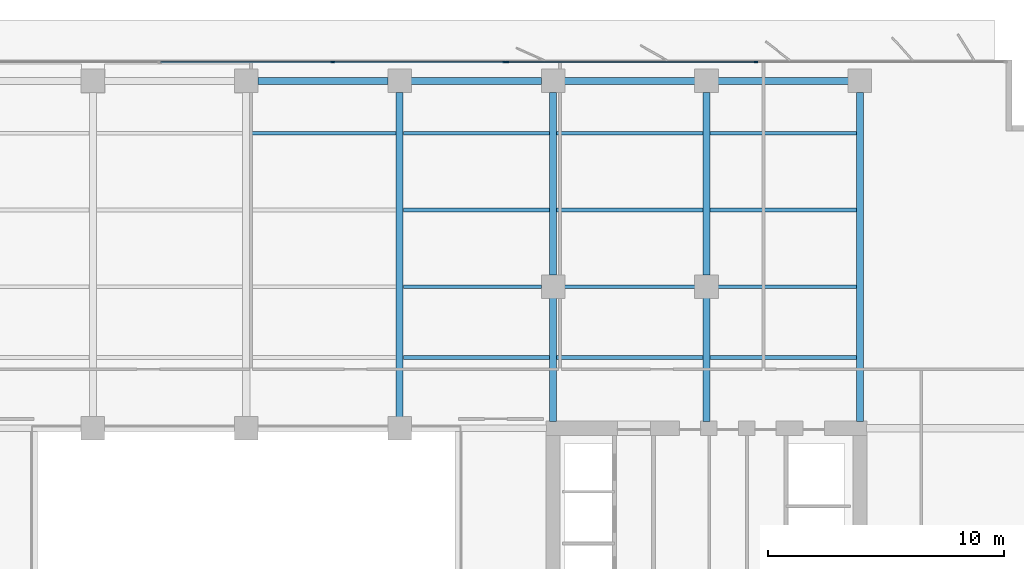
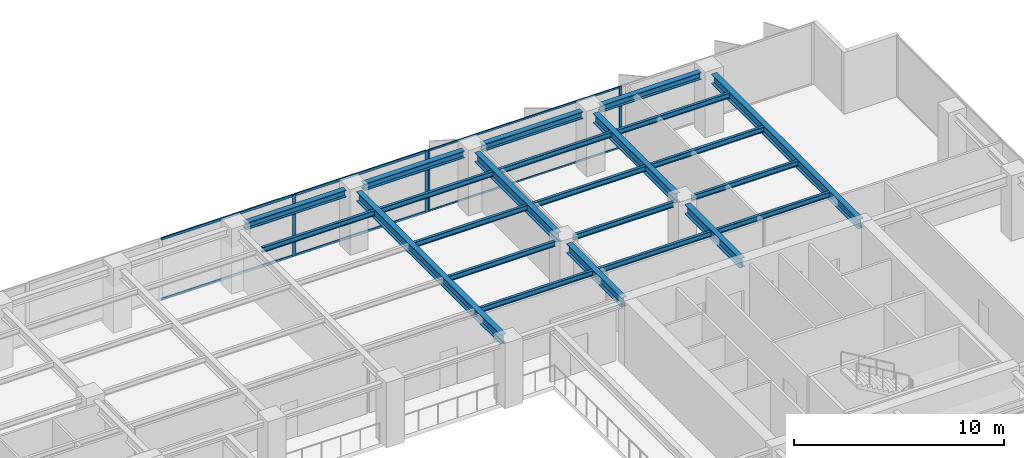
# One storey, part 10 of 22: 23 beams, 10 members, 2 elements without a shape of their own.
"""IFC4 building model written with IfcOpenShell, lengths in metres."""

from ifc_helpers import new_model, si_unit, direction, frame, origin, origin_2d, place, context, subcontext, project, spatial, rectangle, i_section, extrude, material, layer, layer_set, material_profile, profile_set, type_object, element, aggregate, save


model = new_model("IFC4")

# Units and contexts
model_context = context("Model", 3, precision=1e-05, world=origin(), true_north=direction((0.0, 1.0)))
body_context = subcontext(model_context, "Body", "Model", "MODEL_VIEW")
ifc_project = project(units=[si_unit("LENGTHUNIT", "METRE"), si_unit("AREAUNIT", "SQUARE_METRE"), si_unit("VOLUMEUNIT", "CUBIC_METRE"), si_unit("PLANEANGLEUNIT", "RADIAN"), si_unit("MASSUNIT", "GRAM", prefix="KILO")], contexts=[model_context])

# Site, building, storey
site_placement = place(None, origin())
site = spatial("IfcSite", under=ifc_project, at=site_placement, CompositionType="ELEMENT")
building_placement = place(site_placement, origin())
building = spatial("IfcBuilding", under=site, at=building_placement, Name="Putna Gate Headquarters", CompositionType="ELEMENT")
storey_placement = place(building_placement, frame((0.0, 0.0, 144.199951171875)))
storey = spatial("IfcBuildingStorey", under=building, at=storey_placement, Name="L35", CompositionType="ELEMENT", Elevation=144.199951171875)

# Beams
ifc_material_1 = material(Name="Steel S355J2", Category="steel")
ifc_material_profile_1 = material_profile(ifc_material_1, i_section(OverallWidth=0.300048828125, OverallDepth=0.550048828125, WebThickness=0.014892578125, FlangeThickness=0.029052734375, at=origin_2d()), Name="Steel S355J2")
ifc_profile_set_1 = profile_set([ifc_material_profile_1], Name="Steel S355J2")
beam_type_1 = type_object("IfcBeamType", Name="BM-GIRD-Z3-HEB550", PredefinedType="USERDEFINED", material=ifc_profile_set_1)
beam_1_placement = place(storey_placement, frame((45.5, 33.488037109375, 3.297119140625), z_axis=(0.0, 1.0, 0.0), x_axis=(-1.0, 0.0, 0.0)))
element("IfcBeam", 1, at=beam_1_placement, inside=storey, type_object=beam_type_1, Name="L35 North Primary Girder X45", ObjectType="GIRDER", PredefinedType="USERDEFINED", context=body_context, shape_type="SweptSolid", body=[
    extrude(i_section(OverallWidth=0.300048828125, OverallDepth=0.550048828125, WebThickness=0.014892578125, FlangeThickness=0.029052734375, at=origin_2d()), origin(), (0.0, 0.0, 1.0), 13.743896484375),
])
beam_2_placement = place(storey_placement, frame((52.0, 33.284912109375, 3.297119140625), z_axis=(0.0, 1.0, 0.0), x_axis=(-1.0, 0.0, 0.0)))
element("IfcBeam", 2, at=beam_2_placement, inside=storey, type_object=beam_type_1, Name="L35 North Primary Girder X52-1", ObjectType="GIRDER", PredefinedType="USERDEFINED", context=body_context, shape_type="SweptSolid", body=[
    extrude(i_section(OverallWidth=0.300048828125, OverallDepth=0.550048828125, WebThickness=0.014892578125, FlangeThickness=0.029052734375, at=origin_2d()), origin(), (0.0, 0.0, 1.0), 5.22705078125),
])
beam_3_placement = place(storey_placement, frame((52.0, 39.488037109375, 3.297119140625), z_axis=(0.0, 1.0, 0.0), x_axis=(-1.0, 0.0, 0.0)))
element("IfcBeam", 3, at=beam_3_placement, inside=storey, type_object=beam_type_1, Name="L35 North Primary Girder X52-2", ObjectType="GIRDER", PredefinedType="USERDEFINED", context=body_context, shape_type="SweptSolid", body=[
    extrude(i_section(OverallWidth=0.300048828125, OverallDepth=0.550048828125, WebThickness=0.014892578125, FlangeThickness=0.029052734375, at=origin_2d()), origin(), (0.0, 0.0, 1.0), 7.743896484375),
])
beam_4_placement = place(storey_placement, frame((58.5, 33.284912109375, 3.297119140625), z_axis=(0.0, 1.0, 0.0), x_axis=(-1.0, 0.0, 0.0)))
element("IfcBeam", 4, at=beam_4_placement, inside=storey, type_object=beam_type_1, Name="L35 North Primary Girder X58-1", ObjectType="GIRDER", PredefinedType="USERDEFINED", context=body_context, shape_type="SweptSolid", body=[
    extrude(i_section(OverallWidth=0.300048828125, OverallDepth=0.550048828125, WebThickness=0.014892578125, FlangeThickness=0.029052734375, at=origin_2d()), origin(), (0.0, 0.0, 1.0), 5.22705078125),
])
beam_5_placement = place(storey_placement, frame((58.5, 39.488037109375, 3.297119140625), z_axis=(0.0, 1.0, 0.0), x_axis=(-1.0, 0.0, 0.0)))
element("IfcBeam", 5, at=beam_5_placement, inside=storey, type_object=beam_type_1, Name="L35 North Primary Girder X58-2", ObjectType="GIRDER", PredefinedType="USERDEFINED", context=body_context, shape_type="SweptSolid", body=[
    extrude(i_section(OverallWidth=0.300048828125, OverallDepth=0.550048828125, WebThickness=0.014892578125, FlangeThickness=0.029052734375, at=origin_2d()), origin(), (0.0, 0.0, 1.0), 7.743896484375),
])
beam_6_placement = place(storey_placement, frame((65.0, 33.284912109375, 3.297119140625), z_axis=(0.0, 1.0, 0.0), x_axis=(-1.0, 0.0, 0.0)))
element("IfcBeam", 6, at=beam_6_placement, inside=storey, type_object=beam_type_1, Name="L35 North Primary Girder X65", ObjectType="GIRDER", PredefinedType="USERDEFINED", context=body_context, shape_type="SweptSolid", body=[
    extrude(i_section(OverallWidth=0.300048828125, OverallDepth=0.550048828125, WebThickness=0.014892578125, FlangeThickness=0.029052734375, at=origin_2d()), origin(), (0.0, 0.0, 1.0), 13.947021484375),
])
ifc_material_profile_2 = material_profile(ifc_material_1, i_section(OverallWidth=0.14990234375, OverallDepth=0.300048828125, WebThickness=0.007080078125, FlangeThickness=0.0107421875, at=origin_2d()), Name="Steel S355J2")
ifc_profile_set_2 = profile_set([ifc_material_profile_2], Name="Steel S355J2")
beam_type_2 = type_object("IfcBeamType", Name="BM-SEC-Z3-IPE300", PredefinedType="JOIST", material=ifc_profile_set_2)
for number, where, z_axis, x_axis, name in (
    (7, (39.154052734375, 45.5, 3.422119140625), (1.0, 0.0, 0.0), (0.0, 1.0, 0.0), "L35 North Secondary Beam 5"),
    (8, (45.654052734375, 36.0, 3.422119140625), (1.0, 0.0, 0.0), (0.0, 1.0, 0.0), "L35 North Secondary Beam 6"),
):
    element("IfcBeam", number, at=place(storey_placement, frame(where, z_axis=z_axis, x_axis=x_axis)), inside=storey, type_object=beam_type_2, Name=name, PredefinedType="JOIST", context=body_context, shape_type="SweptSolid", body=[
        extrude(i_section(OverallWidth=0.14990234375, OverallDepth=0.300048828125, WebThickness=0.007080078125, FlangeThickness=0.0107421875, at=origin_2d()), origin(), (0.0, 0.0, 1.0), 6.19189453125),
    ])
beam_7_placement = place(storey_placement, frame((45.654052734375, 39.0, 3.422119140625), z_axis=(1.0, 0.0, 0.0), x_axis=(0.0, 1.0, 0.0)))
element("IfcBeam", 9, at=beam_7_placement, inside=storey, type_object=beam_type_2, Name="L35 North Secondary Beam 6", PredefinedType="JOIST", context=body_context, shape_type="SweptSolid", body=[
    extrude(i_section(OverallWidth=0.14990234375, OverallDepth=0.300048828125, WebThickness=0.007080078125, FlangeThickness=0.0107421875, at=origin_2d()), origin(), (0.0, 0.0, 1.0), 5.85791015625),
])
for number, where, z_axis, x_axis, name in (
    (10, (45.654052734375, 42.25, 3.422119140625), (1.0, 0.0, 0.0), (0.0, 1.0, 0.0), "L35 North Secondary Beam 6"),
    (11, (45.654052734375, 45.5, 3.422119140625), (1.0, 0.0, 0.0), (0.0, 1.0, 0.0), "L35 North Secondary Beam 6"),
    (12, (52.154052734375, 36.0, 3.422119140625), (1.0, 0.0, 0.0), (0.0, 1.0, 0.0), "L35 North Secondary Beam 7"),
):
    element("IfcBeam", number, at=place(storey_placement, frame(where, z_axis=z_axis, x_axis=x_axis)), inside=storey, type_object=beam_type_2, Name=name, PredefinedType="JOIST", context=body_context, shape_type="SweptSolid", body=[
        extrude(i_section(OverallWidth=0.14990234375, OverallDepth=0.300048828125, WebThickness=0.007080078125, FlangeThickness=0.0107421875, at=origin_2d()), origin(), (0.0, 0.0, 1.0), 6.19189453125),
    ])
beam_8_placement = place(storey_placement, frame((52.488037109375, 39.0, 3.422119140625), z_axis=(1.0, 0.0, 0.0), x_axis=(0.0, 1.0, 0.0)))
element("IfcBeam", 13, at=beam_8_placement, inside=storey, type_object=beam_type_2, Name="L35 North Secondary Beam 7", PredefinedType="JOIST", context=body_context, shape_type="SweptSolid", body=[
    extrude(i_section(OverallWidth=0.14990234375, OverallDepth=0.300048828125, WebThickness=0.007080078125, FlangeThickness=0.0107421875, at=origin_2d()), origin(), (0.0, 0.0, 1.0), 5.52392578125),
])
for number, where, z_axis, x_axis, name in (
    (14, (52.154052734375, 42.25, 3.422119140625), (1.0, 0.0, 0.0), (0.0, 1.0, 0.0), "L35 North Secondary Beam 7"),
    (15, (52.154052734375, 45.5, 3.422119140625), (1.0, 0.0, 0.0), (0.0, 1.0, 0.0), "L35 North Secondary Beam 7"),
    (16, (58.654052734375, 36.0, 3.422119140625), (1.0, 0.0, 0.0), (0.0, 1.0, 0.0), "L35 North Secondary Beam 8"),
):
    element("IfcBeam", number, at=place(storey_placement, frame(where, z_axis=z_axis, x_axis=x_axis)), inside=storey, type_object=beam_type_2, Name=name, PredefinedType="JOIST", context=body_context, shape_type="SweptSolid", body=[
        extrude(i_section(OverallWidth=0.14990234375, OverallDepth=0.300048828125, WebThickness=0.007080078125, FlangeThickness=0.0107421875, at=origin_2d()), origin(), (0.0, 0.0, 1.0), 6.19189453125),
    ])
beam_9_placement = place(storey_placement, frame((58.988037109375, 39.0, 3.422119140625), z_axis=(1.0, 0.0, 0.0), x_axis=(0.0, 1.0, 0.0)))
element("IfcBeam", 17, at=beam_9_placement, inside=storey, type_object=beam_type_2, Name="L35 North Secondary Beam 8", PredefinedType="JOIST", context=body_context, shape_type="SweptSolid", body=[
    extrude(i_section(OverallWidth=0.14990234375, OverallDepth=0.300048828125, WebThickness=0.007080078125, FlangeThickness=0.0107421875, at=origin_2d()), origin(), (0.0, 0.0, 1.0), 5.85791015625),
])
for number, where, z_axis, x_axis, name in (
    (18, (58.654052734375, 42.25, 3.422119140625), (1.0, 0.0, 0.0), (0.0, 1.0, 0.0), "L35 North Secondary Beam 8"),
    (19, (58.654052734375, 45.5, 3.422119140625), (1.0, 0.0, 0.0), (0.0, 1.0, 0.0), "L35 North Secondary Beam 8"),
):
    element("IfcBeam", number, at=place(storey_placement, frame(where, z_axis=z_axis, x_axis=x_axis)), inside=storey, type_object=beam_type_2, Name=name, PredefinedType="JOIST", context=body_context, shape_type="SweptSolid", body=[
        extrude(i_section(OverallWidth=0.14990234375, OverallDepth=0.300048828125, WebThickness=0.007080078125, FlangeThickness=0.0107421875, at=origin_2d()), origin(), (0.0, 0.0, 1.0), 6.19189453125),
    ])
ifc_material_profile_3 = material_profile(ifc_material_1, i_section(OverallWidth=0.300048828125, OverallDepth=0.39990234375, WebThickness=0.013427734375, FlangeThickness=0.02392578125, at=origin_2d()), Name="Steel S355J2")
ifc_profile_set_3 = profile_set([ifc_material_profile_3], Name="Steel S355J2")
beam_type_3 = type_object("IfcBeamType", Name="BM-SPAN-Z3-HEB400", PredefinedType="SPANDREL", material=ifc_profile_set_3)
for number, where, z_axis, x_axis, name in (
    (20, (39.488037109375, 47.719970703125, 3.3720703125), (1.0, 0.0, 0.0), (0.0, 1.0, 0.0), "L35 N Perimeter Spandrel 5"),
    (21, (45.988037109375, 47.719970703125, 3.3720703125), (1.0, 0.0, 0.0), (0.0, 1.0, 0.0), "L35 N Perimeter Spandrel 6"),
    (22, (52.488037109375, 47.719970703125, 3.3720703125), (1.0, 0.0, 0.0), (0.0, 1.0, 0.0), "L35 N Perimeter Spandrel 7"),
    (23, (58.988037109375, 47.719970703125, 3.3720703125), (1.0, 0.0, 0.0), (0.0, 1.0, 0.0), "L35 N Perimeter Spandrel 8"),
):
    element("IfcBeam", number, at=place(storey_placement, frame(where, z_axis=z_axis, x_axis=x_axis)), inside=storey, type_object=beam_type_3, Name=name, PredefinedType="SPANDREL", context=body_context, shape_type="SweptSolid", body=[
        extrude(i_section(OverallWidth=0.300048828125, OverallDepth=0.39990234375, WebThickness=0.013427734375, FlangeThickness=0.02392578125, at=origin_2d()), origin(), (0.0, 0.0, 1.0), 5.52392578125),
    ])

# Curtain wall, members
ifc_material_2 = material(Name="Anodised bronze aluminium curtain wall", Category="aluminium")
ifc_layer_1 = layer(ifc_material_2, 0.159912109375)
ifc_layer_set_1 = layer_set([ifc_layer_1], Name="Anodised bronze aluminium curtain wall")
curtain_wall_type_1 = type_object("IfcCurtainWallType", Name="CW-SYS-Z3", PredefinedType="USERDEFINED", material=ifc_layer_set_1)
curtain_wall_1_placement = place(storey_placement, origin())
curtain_wall_1 = element("IfcCurtainWall", 24, at=curtain_wall_1_placement, inside=storey, type_object=curtain_wall_type_1, Name="L35 North East Curtain Wall", ObjectType="STICK CURTAIN WALL", PredefinedType="USERDEFINED")
ifc_material_3 = material(Name="Anodised bronze aluminium EN AW-6060", Category="aluminium")
ifc_material_profile_4 = material_profile(ifc_material_3, rectangle(XDim=0.06494140625, YDim=0.159912109375, at=origin_2d()), Name="Anodised bronze aluminium EN AW-6060")
ifc_profile_set_4 = profile_set([ifc_material_profile_4], Name="Anodised bronze aluminium EN AW-6060")
member_type_1 = type_object("IfcMemberType", Name="MULL-CWM-3", PredefinedType="MULLION", material=ifc_profile_set_4)
member_1_placement = place(storey_placement, frame((50.032470703125, 48.52001953125, 0.0), z_axis=(0.0, 0.0, 1.0), x_axis=(0.0, 1.0, 0.0)))
member_1 = element("IfcMember", 25, at=member_1_placement, type_object=member_type_1, Name="CWS-3 mullion 1", PredefinedType="MULLION", context=body_context, shape_type="SweptSolid", body=[
    extrude(rectangle(XDim=0.06494140625, YDim=0.159912109375, at=origin_2d()), origin(), (0.0, 0.0, 1.0), 3.572021484375),
])
member_2_placement = place(storey_placement, frame((60.60009765625, 48.52001953125, 0.0), z_axis=(0.0, 0.0, 1.0), x_axis=(0.0, 1.0, 0.0)))
member_2 = element("IfcMember", 26, at=member_2_placement, type_object=member_type_1, Name="CWS-3 mullion 2", PredefinedType="MULLION", context=body_context, shape_type="SweptSolid", body=[
    extrude(rectangle(XDim=0.06494140625, YDim=0.159912109375, at=origin_2d()), origin(), (0.0, 0.0, 1.0), 3.572021484375),
])

ifc_layer_2 = layer(ifc_material_2, 0.179931640625)
ifc_layer_set_2 = layer_set([ifc_layer_2], Name="Anodised bronze aluminium curtain wall")
curtain_wall_type_2 = type_object("IfcCurtainWallType", Name="CW-SYS-ATR", PredefinedType="USERDEFINED", material=ifc_layer_set_2)
curtain_wall_2_placement = place(storey_placement, origin())
curtain_wall_2 = element("IfcCurtainWall", 27, at=curtain_wall_2_placement, inside=storey, type_object=curtain_wall_type_2, Name="L35 North Atrium Clear Glazing", ObjectType="ATRIUM GLAZING", PredefinedType="USERDEFINED")
ifc_material_profile_5 = material_profile(ifc_material_3, rectangle(XDim=0.070068359375, YDim=0.179931640625, at=origin_2d()), Name="Anodised bronze aluminium EN AW-6060")
ifc_profile_set_5 = profile_set([ifc_material_profile_5], Name="Anodised bronze aluminium EN AW-6060")
member_type_2 = type_object("IfcMemberType", Name="MULL-CWM-AT", PredefinedType="MULLION", material=ifc_profile_set_5)
member_3_placement = place(storey_placement, frame((42.666748046875, 48.52001953125, 0.0), z_axis=(0.0, 0.0, 1.0), x_axis=(0.0, 1.0, 0.0)))
member_3 = element("IfcMember", 28, at=member_3_placement, type_object=member_type_2, Name="CWS-AT mullion 3", PredefinedType="MULLION", context=body_context, shape_type="SweptSolid", body=[
    extrude(rectangle(XDim=0.070068359375, YDim=0.179931640625, at=origin_2d()), origin(), (0.0, 0.0, 1.0), 3.572021484375),
])
member_4_placement = place(storey_placement, frame((49.965087890625, 48.52001953125, 0.0), z_axis=(0.0, 0.0, 1.0), x_axis=(0.0, 1.0, 0.0)))
member_4 = element("IfcMember", 29, at=member_4_placement, type_object=member_type_2, Name="CWS-AT mullion 4", PredefinedType="MULLION", context=body_context, shape_type="SweptSolid", body=[
    extrude(rectangle(XDim=0.070068359375, YDim=0.179931640625, at=origin_2d()), origin(), (0.0, 0.0, 1.0), 3.572021484375),
])

# Member
ifc_material_profile_6 = material_profile(ifc_material_3, rectangle(XDim=0.06005859375, YDim=0.10009765625, at=origin_2d()), Name="Anodised bronze aluminium EN AW-6060")
ifc_profile_set_6 = profile_set([ifc_material_profile_6], Name="Anodised bronze aluminium EN AW-6060")
member_type_3 = type_object("IfcMemberType", Name="TRAN-CWT-3", PredefinedType="USERDEFINED", material=ifc_profile_set_6)
member_5_placement = place(storey_placement, frame((50.06494140625, 48.52001953125, 0.030029296875), z_axis=(1.0, 0.0, 0.0), x_axis=(0.0, 1.0, 0.0)))
member_5 = element("IfcMember", 30, at=member_5_placement, type_object=member_type_3, Name="CWS-3 transom 1.1", ObjectType="TRANSOM", PredefinedType="USERDEFINED", context=body_context, shape_type="SweptSolid", body=[
    extrude(rectangle(XDim=0.06005859375, YDim=0.10009765625, at=origin_2d()), origin(), (0.0, 0.0, 1.0), 10.50244140625),
])

member_6_placement = place(storey_placement, frame((50.06494140625, 48.52001953125, 3.5419921875), z_axis=(1.0, 0.0, 0.0), x_axis=(0.0, 1.0, 0.0)))
member_6 = element("IfcMember", 31, at=member_6_placement, type_object=member_type_3, Name="CWS-3 transom 1.2", ObjectType="TRANSOM", PredefinedType="USERDEFINED", context=body_context, shape_type="SweptSolid", body=[
    extrude(rectangle(XDim=0.06005859375, YDim=0.10009765625, at=origin_2d()), origin(), (0.0, 0.0, 1.0), 10.50244140625),
])

aggregate(curtain_wall_1, [member_1, member_2, member_5, member_6])

ifc_material_profile_7 = material_profile(ifc_material_3, rectangle(XDim=0.070068359375, YDim=0.139892578125, at=origin_2d()), Name="Anodised bronze aluminium EN AW-6060")
ifc_profile_set_7 = profile_set([ifc_material_profile_7], Name="Anodised bronze aluminium EN AW-6060")
member_type_4 = type_object("IfcMemberType", Name="TRAN-CWT-AT", PredefinedType="USERDEFINED", material=ifc_profile_set_7)
member_7_placement = place(storey_placement, frame((35.368408203125, 48.52001953125, 0.03515625), z_axis=(1.0, 0.0, 0.0), x_axis=(0.0, 1.0, 0.0)))
member_7 = element("IfcMember", 32, at=member_7_placement, type_object=member_type_4, Name="CWS-AT transom 2.1", ObjectType="TRANSOM", PredefinedType="USERDEFINED", context=body_context, shape_type="SweptSolid", body=[
    extrude(rectangle(XDim=0.070068359375, YDim=0.139892578125, at=origin_2d()), origin(), (0.0, 0.0, 1.0), 7.26318359375),
])

member_8_placement = place(storey_placement, frame((35.368408203125, 48.52001953125, 3.537109375), z_axis=(1.0, 0.0, 0.0), x_axis=(0.0, 1.0, 0.0)))
member_8 = element("IfcMember", 33, at=member_8_placement, type_object=member_type_4, Name="CWS-AT transom 2.2", ObjectType="TRANSOM", PredefinedType="USERDEFINED", context=body_context, shape_type="SweptSolid", body=[
    extrude(rectangle(XDim=0.070068359375, YDim=0.139892578125, at=origin_2d()), origin(), (0.0, 0.0, 1.0), 7.26318359375),
])

member_9_placement = place(storey_placement, frame((42.70166015625, 48.52001953125, 0.03515625), z_axis=(1.0, 0.0, 0.0), x_axis=(0.0, 1.0, 0.0)))
member_9 = element("IfcMember", 34, at=member_9_placement, type_object=member_type_4, Name="CWS-AT transom 3.1", ObjectType="TRANSOM", PredefinedType="USERDEFINED", context=body_context, shape_type="SweptSolid", body=[
    extrude(rectangle(XDim=0.070068359375, YDim=0.139892578125, at=origin_2d()), origin(), (0.0, 0.0, 1.0), 7.228271484375),
])

member_10_placement = place(storey_placement, frame((42.70166015625, 48.52001953125, 3.537109375), z_axis=(1.0, 0.0, 0.0), x_axis=(0.0, 1.0, 0.0)))
member_10 = element("IfcMember", 35, at=member_10_placement, type_object=member_type_4, Name="CWS-AT transom 3.2", ObjectType="TRANSOM", PredefinedType="USERDEFINED", context=body_context, shape_type="SweptSolid", body=[
    extrude(rectangle(XDim=0.070068359375, YDim=0.139892578125, at=origin_2d()), origin(), (0.0, 0.0, 1.0), 7.228271484375),
])

aggregate(curtain_wall_2, [member_3, member_4, member_7, member_8, member_9, member_10])

save(model, "model.ifc")
